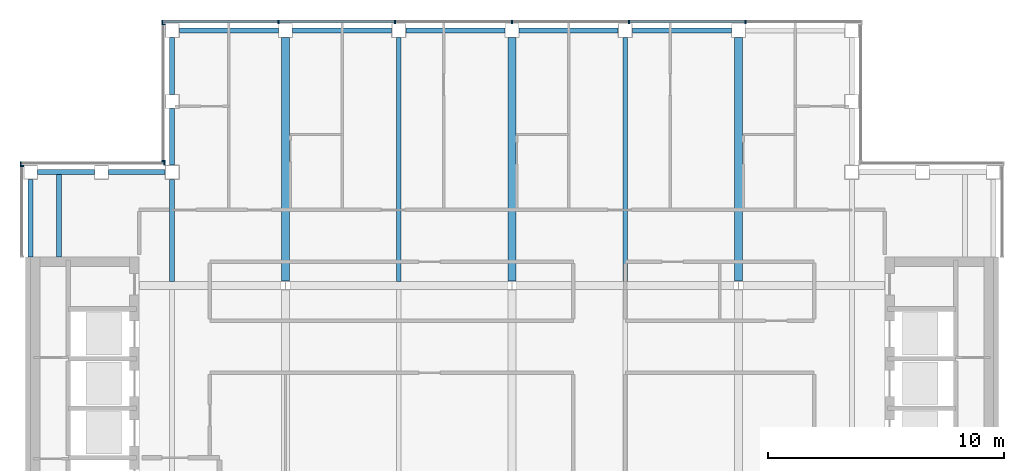
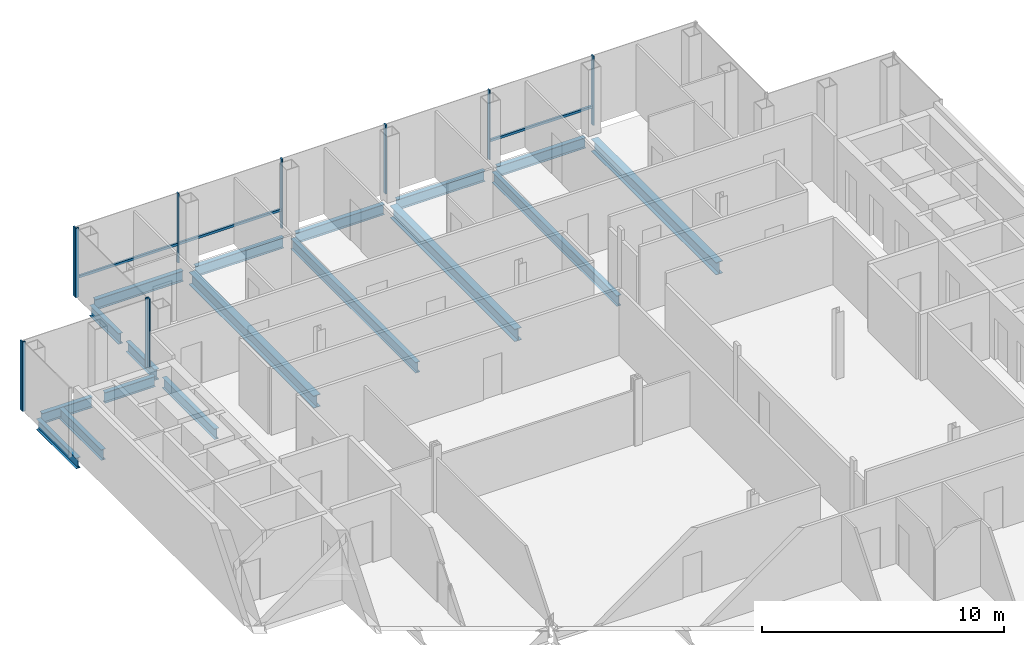
# One storey, part 7 of 15: 17 beams, 14 members, 4 elements without a shape of their own.
"""IFC4 building model written with IfcOpenShell, lengths in metres."""

from ifc_helpers import new_model, si_unit, direction, frame, origin, origin_2d, place, context, subcontext, project, spatial, rectangle, i_section, extrude, material, material_profile, profile_set, type_object, element, aggregate, save


model = new_model("IFC4")

# Units and contexts
model_context = context("Model", 3, precision=1e-05, world=origin(), true_north=direction((0.0, 1.0)))
body_context = subcontext(model_context, "Body", "Model", "MODEL_VIEW")
ifc_project = project(units=[si_unit("LENGTHUNIT", "METRE"), si_unit("AREAUNIT", "SQUARE_METRE"), si_unit("VOLUMEUNIT", "CUBIC_METRE"), si_unit("PLANEANGLEUNIT", "RADIAN"), si_unit("MASSUNIT", "GRAM", prefix="KILO")], contexts=[model_context])

# Site, building, storey
site_placement = place(None, origin())
site = spatial("IfcSite", under=ifc_project, at=site_placement, CompositionType="ELEMENT")
building_placement = place(site_placement, origin())
building = spatial("IfcBuilding", under=site, at=building_placement, Name="Cobrizo Arcos Hotel Tower", CompositionType="ELEMENT")
storey_placement = place(building_placement, frame((0.0, 0.0, 251.5)))
storey = spatial("IfcBuildingStorey", under=building, at=storey_placement, Name="L66", CompositionType="ELEMENT", Elevation=251.5)

# Curtain wall, members
ifc_material_1 = material(Name="Aluminium 6063-T6 anodised bronze", Category="aluminium")
curtain_wall_type = type_object("IfcCurtainWallType", Name="CW-A guest facade", PredefinedType="NOTDEFINED", material=ifc_material_1)
curtain_wall_1_placement = place(storey_placement, origin())
curtain_wall_1 = element("IfcCurtainWall", 1, at=curtain_wall_1_placement, inside=storey, type_object=curtain_wall_type, Name="CW-A L66 N face", PredefinedType="NOTDEFINED")
ifc_material_profile_1 = material_profile(ifc_material_1, rectangle(XDim=0.14990234375, YDim=0.06005859375, at=origin_2d()), Name="CW-A mullion 150x60")
ifc_profile_set_1 = profile_set([ifc_material_profile_1], Name="Aluminium 6063-T6 anodised bronze")
member_type_1 = type_object("IfcMemberType", Name="CW-A mullion 150x60", PredefinedType="MULLION", material=ifc_profile_set_1)
member_1_placement = place(storey_placement, frame((9.89990234375, 20.77490234375, 0.0), z_axis=(0.0, 0.0, 1.0), x_axis=(0.0, 1.0, 0.0)))
member_1 = element("IfcMember", 2, at=member_1_placement, type_object=member_type_1, Name="CW-A mullion 2", PredefinedType="MULLION", context=body_context, shape_type="SweptSolid", body=[
    extrude(rectangle(XDim=0.14990234375, YDim=0.06005859375, at=origin_2d()), origin(), (0.0, 0.0, 1.0), 3.5),
])
member_2_placement = place(storey_placement, frame((4.949951171875, 20.77490234375, 0.0), z_axis=(0.0, 0.0, 1.0), x_axis=(0.0, 1.0, 0.0)))
member_2 = element("IfcMember", 3, at=member_2_placement, type_object=member_type_1, Name="CW-A mullion 3", PredefinedType="MULLION", context=body_context, shape_type="SweptSolid", body=[
    extrude(rectangle(XDim=0.14990234375, YDim=0.06005859375, at=origin_2d()), origin(), (0.0, 0.0, 1.0), 3.5),
])
member_3_placement = place(storey_placement, frame((0.0, 20.77490234375, 0.0), z_axis=(0.0, 0.0, 1.0), x_axis=(0.0, 1.0, 0.0)))
member_3 = element("IfcMember", 4, at=member_3_placement, type_object=member_type_1, Name="CW-A mullion 4", PredefinedType="MULLION", context=body_context, shape_type="SweptSolid", body=[
    extrude(rectangle(XDim=0.14990234375, YDim=0.06005859375, at=origin_2d()), origin(), (0.0, 0.0, 1.0), 3.5),
])
member_4_placement = place(storey_placement, frame((-4.949951171875, 20.77490234375, 0.0), z_axis=(0.0, 0.0, 1.0), x_axis=(0.0, 1.0, 0.0)))
member_4 = element("IfcMember", 5, at=member_4_placement, type_object=member_type_1, Name="CW-A mullion 5", PredefinedType="MULLION", context=body_context, shape_type="SweptSolid", body=[
    extrude(rectangle(XDim=0.14990234375, YDim=0.06005859375, at=origin_2d()), origin(), (0.0, 0.0, 1.0), 3.5),
])
member_5_placement = place(storey_placement, frame((-9.89990234375, 20.77490234375, 0.0), z_axis=(0.0, 0.0, 1.0), x_axis=(0.0, 1.0, 0.0)))
member_5 = element("IfcMember", 6, at=member_5_placement, type_object=member_type_1, Name="CW-A mullion 6", PredefinedType="MULLION", context=body_context, shape_type="SweptSolid", body=[
    extrude(rectangle(XDim=0.14990234375, YDim=0.06005859375, at=origin_2d()), origin(), (0.0, 0.0, 1.0), 3.5),
])
member_6_placement = place(storey_placement, frame((-14.820068359375, 20.77490234375, 0.0), z_axis=(0.0, 0.0, 1.0), x_axis=(0.0, 1.0, 0.0)))
member_6 = element("IfcMember", 7, at=member_6_placement, type_object=member_type_1, Name="CW-A mullion 7", PredefinedType="MULLION", context=body_context, shape_type="SweptSolid", body=[
    extrude(rectangle(XDim=0.14990234375, YDim=0.06005859375, at=origin_2d()), origin(), (0.0, 0.0, 1.0), 3.5),
])

curtain_wall_2_placement = place(storey_placement, origin())
curtain_wall_2 = element("IfcCurtainWall", 8, at=curtain_wall_2_placement, inside=storey, type_object=curtain_wall_type, Name="CW-A L66 W face", PredefinedType="NOTDEFINED")
member_7_placement = place(storey_placement, frame((-14.77490234375, 20.669921875, 0.0), z_axis=(0.0, 0.0, 1.0), x_axis=(-1.0, 0.0, 0.0)))
member_7 = element("IfcMember", 9, at=member_7_placement, type_object=member_type_1, Name="CW-A mullion 1", PredefinedType="MULLION", context=body_context, shape_type="SweptSolid", body=[
    extrude(rectangle(XDim=0.14990234375, YDim=0.06005859375, at=origin_2d()), origin(), (0.0, 0.0, 1.0), 3.5),
])
member_8_placement = place(storey_placement, frame((-14.77490234375, 14.8798828125, 0.0), z_axis=(0.0, 0.0, 1.0), x_axis=(-1.0, 0.0, 0.0)))
member_8 = element("IfcMember", 10, at=member_8_placement, type_object=member_type_1, Name="CW-A mullion 2", PredefinedType="MULLION", context=body_context, shape_type="SweptSolid", body=[
    extrude(rectangle(XDim=0.14990234375, YDim=0.06005859375, at=origin_2d()), origin(), (0.0, 0.0, 1.0), 3.5),
])
aggregate(curtain_wall_2, [member_7, member_8])

curtain_wall_3_placement = place(storey_placement, origin())
curtain_wall_3 = element("IfcCurtainWall", 11, at=curtain_wall_3_placement, inside=storey, type_object=curtain_wall_type, Name="CW-A L66 N face", PredefinedType="NOTDEFINED")
member_9_placement = place(storey_placement, frame((-14.72998046875, 14.77490234375, 0.0), z_axis=(0.0, 0.0, 1.0), x_axis=(0.0, 1.0, 0.0)))
member_9 = element("IfcMember", 12, at=member_9_placement, type_object=member_type_1, Name="CW-A mullion 1", PredefinedType="MULLION", context=body_context, shape_type="SweptSolid", body=[
    extrude(rectangle(XDim=0.14990234375, YDim=0.06005859375, at=origin_2d()), origin(), (0.0, 0.0, 1.0), 3.5),
])
member_10_placement = place(storey_placement, frame((-20.820068359375, 14.77490234375, 0.0), z_axis=(0.0, 0.0, 1.0), x_axis=(0.0, 1.0, 0.0)))
member_10 = element("IfcMember", 13, at=member_10_placement, type_object=member_type_1, Name="CW-A mullion 2", PredefinedType="MULLION", context=body_context, shape_type="SweptSolid", body=[
    extrude(rectangle(XDim=0.14990234375, YDim=0.06005859375, at=origin_2d()), origin(), (0.0, 0.0, 1.0), 3.5),
])
aggregate(curtain_wall_3, [member_9, member_10])

# Curtain wall, member
curtain_wall_4_placement = place(storey_placement, origin())
curtain_wall_4 = element("IfcCurtainWall", 14, at=curtain_wall_4_placement, inside=storey, type_object=curtain_wall_type, Name="CW-A L66 W face", PredefinedType="NOTDEFINED")
member_11_placement = place(storey_placement, frame((-20.77490234375, 14.669921875, 0.0), z_axis=(0.0, 0.0, 1.0), x_axis=(-1.0, 0.0, 0.0)))
member_11 = element("IfcMember", 15, at=member_11_placement, type_object=member_type_1, Name="CW-A mullion 1", PredefinedType="MULLION", context=body_context, shape_type="SweptSolid", body=[
    extrude(rectangle(XDim=0.14990234375, YDim=0.06005859375, at=origin_2d()), origin(), (0.0, 0.0, 1.0), 3.5),
])
aggregate(curtain_wall_4, [member_11])

# Member
ifc_material_profile_2 = material_profile(ifc_material_1, rectangle(XDim=0.10009765625, YDim=0.1201171875, at=origin_2d()), Name="CW-A transom 120x100")
ifc_profile_set_2 = profile_set([ifc_material_profile_2], Name="Aluminium 6063-T6 anodised bronze")
member_type_2 = type_object("IfcMemberType", Name="CW-A transom 120x100", PredefinedType="USERDEFINED", material=ifc_profile_set_2)
member_12_placement = place(storey_placement, frame((9.8701171875, 20.77490234375, 0.929931640625), z_axis=(-1.0, 0.0, 0.0), x_axis=(0.0, -1.0, 0.0)))
member_12 = element("IfcMember", 16, at=member_12_placement, type_object=member_type_2, Name="CW-A transom 2097", ObjectType="TRANSOM", PredefinedType="USERDEFINED", context=body_context, shape_type="SweptSolid", body=[
    extrude(rectangle(XDim=0.10009765625, YDim=0.1201171875, at=origin_2d()), origin(), (0.0, 0.0, 1.0), 4.89013671875),
])

member_13_placement = place(storey_placement, frame((-4.97998046875, 20.77490234375, 0.929931640625), z_axis=(-1.0, 0.0, 0.0), x_axis=(0.0, -1.0, 0.0)))
member_13 = element("IfcMember", 17, at=member_13_placement, type_object=member_type_2, Name="CW-A transom 2100", ObjectType="TRANSOM", PredefinedType="USERDEFINED", context=body_context, shape_type="SweptSolid", body=[
    extrude(rectangle(XDim=0.10009765625, YDim=0.1201171875, at=origin_2d()), origin(), (0.0, 0.0, 1.0), 4.89013671875),
])

member_14_placement = place(storey_placement, frame((-9.929931640625, 20.77490234375, 0.929931640625), z_axis=(-1.0, 0.0, 0.0), x_axis=(0.0, -1.0, 0.0)))
member_14 = element("IfcMember", 18, at=member_14_placement, type_object=member_type_2, Name="CW-A transom 2101", ObjectType="TRANSOM", PredefinedType="USERDEFINED", context=body_context, shape_type="SweptSolid", body=[
    extrude(rectangle(XDim=0.10009765625, YDim=0.1201171875, at=origin_2d()), origin(), (0.0, 0.0, 1.0), 4.860107421875),
])

aggregate(curtain_wall_1, [member_1, member_2, member_3, member_4, member_5, member_6, member_12, member_13, member_14])

# Beams
ifc_material_2 = material(Name="Steel ASTM A992 Grade 50", Category="steel")
ifc_material_profile_3 = material_profile(ifc_material_2, i_section(OverallWidth=0.209228515625, OverallDepth=0.533447265625, WebThickness=0.01025390625, FlangeThickness=0.015625, at=origin_2d()), Name="W21X62")
ifc_profile_set_3 = profile_set([ifc_material_profile_3], Name="Steel ASTM A992 Grade 50")
beam_type_1 = type_object("IfcBeamType", Name="W21X62 joist", PredefinedType="JOIST", material=ifc_profile_set_3)
beam_1_placement = place(storey_placement, frame((-19.199951171875, 10.81005859375, -0.416748046875), z_axis=(0.0, 1.0, 0.0), x_axis=(-1.0, 0.0, 0.0)))
element("IfcBeam", 19, at=beam_1_placement, inside=storey, type_object=beam_type_1, Name="Floor joist J1, L66, no. 002", PredefinedType="JOIST", context=body_context, shape_type="SweptSolid", body=[
    extrude(i_section(OverallWidth=0.209228515625, OverallDepth=0.533447265625, WebThickness=0.01025390625, FlangeThickness=0.015625, at=origin_2d()), origin(), (0.0, 0.0, 1.0), 3.5),
])
beam_2_placement = place(storey_placement, frame((-14.39990234375, 9.763916015625, -0.416748046875), z_axis=(0.0, 1.0, 0.0), x_axis=(-1.0, 0.0, 0.0)))
element("IfcBeam", 20, at=beam_2_placement, inside=storey, type_object=beam_type_1, Name="Floor joist J1, L66, no. 006", PredefinedType="JOIST", context=body_context, shape_type="SweptSolid", body=[
    extrude(i_section(OverallWidth=0.209228515625, OverallDepth=0.533447265625, WebThickness=0.01025390625, FlangeThickness=0.015625, at=origin_2d()), origin(), (0.0, 0.0, 1.0), 4.336181640625),
])
for number, where, z_axis, x_axis, name in (
    (21, (-4.800048828125, 9.763916015625, -0.416748046875), (0.0, 1.0, 0.0), (-1.0, 0.0, 0.0), "Floor joist J1, L66, no. 010"),
    (22, (4.800048828125, 9.763916015625, -0.416748046875), (0.0, 1.0, 0.0), (-1.0, 0.0, 0.0), "Floor joist J1, L66, no. 014"),
):
    element("IfcBeam", number, at=place(storey_placement, frame(where, z_axis=z_axis, x_axis=x_axis)), inside=storey, type_object=beam_type_1, Name=name, PredefinedType="JOIST", context=body_context, shape_type="SweptSolid", body=[
        extrude(i_section(OverallWidth=0.209228515625, OverallDepth=0.533447265625, WebThickness=0.01025390625, FlangeThickness=0.015625, at=origin_2d()), origin(), (0.0, 0.0, 1.0), 10.336181640625),
    ])
ifc_material_profile_4 = material_profile(ifc_material_2, i_section(OverallWidth=0.209228515625, OverallDepth=0.533447265625, WebThickness=0.01025390625, FlangeThickness=0.015625, at=origin_2d()), Name="W21X62")
ifc_profile_set_4 = profile_set([ifc_material_profile_4], Name="Steel ASTM A992 Grade 50")
beam_type_2 = type_object("IfcBeamType", Name="W21X62 spandrel", PredefinedType="SPANDREL", material=ifc_profile_set_4)
for number, where, z_axis, x_axis, name in (
    (23, (9.300048828125, 20.39990234375, -0.416748046875), (-1.0, 0.0, 0.0), (0.0, -1.0, 0.0), "Spandrel beam W21X62, L66, no. 018"),
    (24, (4.5, 20.39990234375, -0.416748046875), (-1.0, 0.0, 0.0), (0.0, -1.0, 0.0), "Spandrel beam W21X62, L66, no. 019"),
    (25, (-0.300048828125, 20.39990234375, -0.416748046875), (-1.0, 0.0, 0.0), (0.0, -1.0, 0.0), "Spandrel beam W21X62, L66, no. 020"),
    (26, (-5.10009765625, 20.39990234375, -0.416748046875), (-1.0, 0.0, 0.0), (0.0, -1.0, 0.0), "Spandrel beam W21X62, L66, no. 021"),
):
    element("IfcBeam", number, at=place(storey_placement, frame(where, z_axis=z_axis, x_axis=x_axis)), inside=storey, type_object=beam_type_2, Name=name, PredefinedType="SPANDREL", context=body_context, shape_type="SweptSolid", body=[
        extrude(i_section(OverallWidth=0.209228515625, OverallDepth=0.533447265625, WebThickness=0.01025390625, FlangeThickness=0.015625, at=origin_2d()), origin(), (0.0, 0.0, 1.0), 4.199951171875),
    ])
beam_3_placement = place(storey_placement, frame((-9.89990234375, 20.39990234375, -0.416748046875), z_axis=(-1.0, 0.0, 0.0), x_axis=(0.0, -1.0, 0.0)))
element("IfcBeam", 27, at=beam_3_placement, inside=storey, type_object=beam_type_2, Name="Spandrel beam W21X62, L66, no. 022", PredefinedType="SPANDREL", context=body_context, shape_type="SweptSolid", body=[
    extrude(i_section(OverallWidth=0.209228515625, OverallDepth=0.533447265625, WebThickness=0.01025390625, FlangeThickness=0.015625, at=origin_2d()), origin(), (0.0, 0.0, 1.0), 4.2001953125),
])
for number, where, z_axis, x_axis, name in (
    (28, (-14.39990234375, 20.10009765625, -0.416748046875), (0.0, -1.0, 0.0), (1.0, 0.0, 0.0), "Spandrel beam W21X62, L66, no. 023"),
    (29, (-14.39990234375, 17.10009765625, -0.416748046875), (0.0, -1.0, 0.0), (1.0, 0.0, 0.0), "Spandrel beam W21X62, L66, no. 024"),
    (30, (-14.699951171875, 14.39990234375, -0.416748046875), (-1.0, 0.0, 0.0), (0.0, -1.0, 0.0), "Spandrel beam W21X62, L66, no. 025"),
    (31, (-17.699951171875, 14.39990234375, -0.416748046875), (-1.0, 0.0, 0.0), (0.0, -1.0, 0.0), "Spandrel beam W21X62, L66, no. 026"),
):
    element("IfcBeam", number, at=place(storey_placement, frame(where, z_axis=z_axis, x_axis=x_axis)), inside=storey, type_object=beam_type_2, Name=name, PredefinedType="SPANDREL", context=body_context, shape_type="SweptSolid", body=[
        extrude(i_section(OverallWidth=0.209228515625, OverallDepth=0.533447265625, WebThickness=0.01025390625, FlangeThickness=0.015625, at=origin_2d()), origin(), (0.0, 0.0, 1.0), 2.400146484375),
    ])
beam_4_placement = place(storey_placement, frame((-20.39990234375, 14.10009765625, -0.416748046875), z_axis=(0.0, -1.0, 0.0), x_axis=(1.0, 0.0, 0.0)))
element("IfcBeam", 32, at=beam_4_placement, inside=storey, type_object=beam_type_2, Name="Spandrel beam W21X62, L66, no. 027", PredefinedType="SPANDREL", context=body_context, shape_type="SweptSolid", body=[
    extrude(i_section(OverallWidth=0.209228515625, OverallDepth=0.533447265625, WebThickness=0.01025390625, FlangeThickness=0.015625, at=origin_2d()), origin(), (0.0, 0.0, 1.0), 3.2900390625),
])
ifc_material_profile_5 = material_profile(ifc_material_2, i_section(OverallWidth=0.32763671875, OverallDepth=0.622314453125, WebThickness=0.015380859375, FlangeThickness=0.0244140625, at=origin_2d()), Name="W24X131")
ifc_profile_set_5 = profile_set([ifc_material_profile_5], Name="Steel ASTM A992 Grade 50")
beam_type_3 = type_object("IfcBeamType", Name="W24X131 girder", PredefinedType="BEAM", material=ifc_profile_set_5)
for number, where, z_axis, x_axis, name in (
    (33, (-9.60009765625, 9.7841796875, -0.461181640625), (0.0, 1.0, 0.0), (-1.0, 0.0, 0.0), "Floor girder G1, L66, no. 016"),
    (34, (0.0, 9.7841796875, -0.461181640625), (0.0, 1.0, 0.0), (-1.0, 0.0, 0.0), "Floor girder G1, L66, no. 020"),
    (35, (9.60009765625, 9.7841796875, -0.461181640625), (0.0, 1.0, 0.0), (-1.0, 0.0, 0.0), "Floor girder G1, L66, no. 024"),
):
    element("IfcBeam", number, at=place(storey_placement, frame(where, z_axis=z_axis, x_axis=x_axis)), inside=storey, type_object=beam_type_3, Name=name, PredefinedType="BEAM", context=body_context, shape_type="SweptSolid", body=[
        extrude(i_section(OverallWidth=0.32763671875, OverallDepth=0.622314453125, WebThickness=0.015380859375, FlangeThickness=0.0244140625, at=origin_2d()), origin(), (0.0, 0.0, 1.0), 10.31591796875),
    ])

save(model, "model.ifc")
